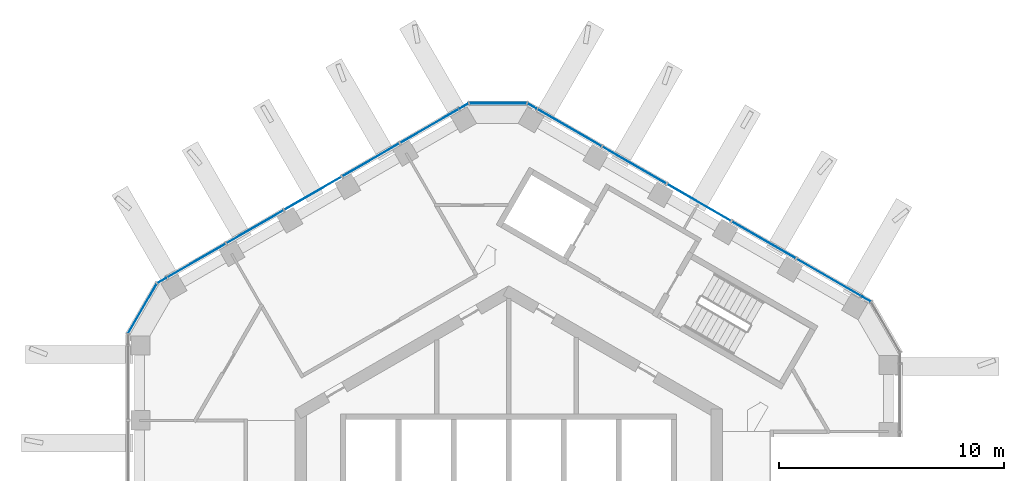
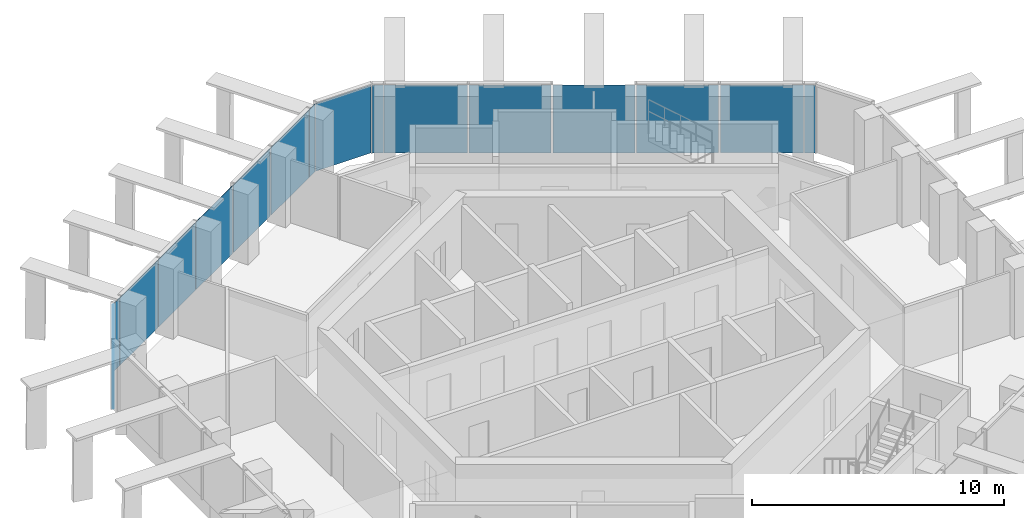
# One storey, part 10 of 17: 16 plates, 5 elements without a shape of their own.
"""IFC4 building model written with IfcOpenShell, lengths in metres."""

import ifcopenshell
import ifcopenshell.guid

model = None  # the IFC model being written
_history = None  # IfcOwnerHistory: only IFC2X3 demands one
_inside = {}  # id of a spatial element -> (the spatial element, [elements in it])
_under = {}  # id of a project, library or spatial element -> (it, [spatial elements below it])
_declared = {}  # id of a project -> (the project, [libraries it declares])
_typed = {}  # id of a type object -> (the type object, [elements of that type])
_made_of = {}  # id of a material, layer set ... -> (it, [elements and type objects made of it])


def new_model(schema):
    """Start an empty IFC model of exactly this schema.

    Asked for "IFC4X3", IfcOpenShell would pick the latest addendum, in which some entities
    have other attributes; the version numbers below select the first issue.
    IFC2X3 requires an IfcOwnerHistory on every rooted entity: one is made here for all.
    """
    global model, _history
    if schema == "IFC4X3":
        model = ifcopenshell.file(schema_version=(4, 3, 0, 0))
    else:
        model = ifcopenshell.file(schema=schema)
    _inside.clear()
    _under.clear()
    _declared.clear()
    _typed.clear()
    _made_of.clear()
    _history = None
    if model.schema == "IFC2X3":
        org = make("IfcOrganization", Name="unknown")
        user = make(
            "IfcPersonAndOrganization",
            ThePerson=make("IfcPerson", FamilyName="unknown"),
            TheOrganization=org,
        )
        app = make(
            "IfcApplication",
            ApplicationDeveloper=org,
            Version="unknown",
            ApplicationFullName="unknown",
            ApplicationIdentifier="unknown",
        )
        _history = make(
            "IfcOwnerHistory",
            OwningUser=user,
            OwningApplication=app,
            ChangeAction="ADDED",
            CreationDate=0,
        )
    return model


def make(cls, **values):
    """One entity of the class cls with the attributes given. An attribute that is None is left unset."""
    return model.create_entity(
        cls, **{name: value for name, value in values.items() if value is not None}
    )


def rooted(cls, **values):
    """An entity with a GlobalId (a new one), such as an element, a storey or a relation."""
    return make(cls, GlobalId=ifcopenshell.guid.new(), OwnerHistory=_history, **values)


def si_unit(unit_type, name, prefix=None):
    """IfcSIUnit, for example si_unit("LENGTHUNIT", "METRE", prefix="MILLI")."""
    return make("IfcSIUnit", UnitType=unit_type, Prefix=prefix, Name=name)


def assignment(units):
    """IfcUnitAssignment: the units of a project."""
    return None if units is None else make("IfcUnitAssignment", Units=units)


def point(xyz):
    """IfcCartesianPoint."""
    return None if xyz is None else make("IfcCartesianPoint", Coordinates=xyz)


def direction(xyz):
    """IfcDirection."""
    return None if xyz is None else make("IfcDirection", DirectionRatios=xyz)


def frame(location, z_axis=None, x_axis=None):
    """IfcAxis2Placement3D, a coordinate frame: its origin and axes. An axis left out is left unset."""
    return make(
        "IfcAxis2Placement3D",
        Location=point(location),
        Axis=direction(z_axis),
        RefDirection=direction(x_axis),
    )


def frame_2d(location, x_axis=None):
    """IfcAxis2Placement2D, a coordinate frame in the plane: its origin and x axis."""
    return make(
        "IfcAxis2Placement2D", Location=point(location), RefDirection=direction(x_axis)
    )


def origin():
    """The frame at (0, 0, 0) with its axes left unset."""
    return frame((0.0, 0.0, 0.0))


def origin_2d():
    """The frame at (0, 0) in the plane with its x axis left unset."""
    return frame_2d((0.0, 0.0))


def place(relative_to, where):
    """IfcLocalPlacement: puts the frame where relative to a parent placement (None: the world)."""
    return make(
        "IfcLocalPlacement", PlacementRelTo=relative_to, RelativePlacement=where
    )


def context(
    kind, dimensions, precision=None, world=None, true_north=None, identifier=None
):
    """IfcGeometricRepresentationContext, for example the 3D "Model" context."""
    return make(
        "IfcGeometricRepresentationContext",
        ContextIdentifier=identifier,
        ContextType=kind,
        CoordinateSpaceDimension=dimensions,
        Precision=precision,
        WorldCoordinateSystem=world,
        TrueNorth=true_north,
    )


def subcontext(parent, identifier, kind, view, scale=None):
    """IfcGeometricRepresentationSubContext, for example "Body" below "Model"."""
    return make(
        "IfcGeometricRepresentationSubContext",
        ContextIdentifier=identifier,
        ContextType=kind,
        ParentContext=parent,
        TargetScale=scale,
        TargetView=view,
    )


def project(units=None, contexts=None):
    """IfcProject with its units and contexts."""
    return rooted(
        "IfcProject",
        Name="project",
        RepresentationContexts=contexts,
        UnitsInContext=assignment(units),
    )


def spatial(cls, under=None, at=None, **own):
    """A site, building, storey or space (cls), placed at a placement, below another one or the project."""
    s = rooted(cls, ObjectPlacement=at, **own)
    if under is not None:
        _under.setdefault(under.id(), (under, []))[1].append(s)
    return s


def profile(cls, at=None, kind="AREA", **sizes):
    """A parametric profile (cls). Its sizes go by their IFC names, for example OverallWidth=200.0."""
    return make(cls, ProfileType=kind, Position=at, **sizes)


def rectangle(**sizes):
    """IfcRectangleProfileDef."""
    return profile("IfcRectangleProfileDef", **sizes)


def extrude(swept, where, along, depth):
    """IfcExtrudedAreaSolid: the profile swept, set in the frame where, extruded along a direction by depth."""
    return make(
        "IfcExtrudedAreaSolid",
        SweptArea=swept,
        Position=where,
        ExtrudedDirection=direction(along),
        Depth=depth,
    )


def shape(context_of_items, identifier, shape_type, items):
    """IfcShapeRepresentation: the items that make up one representation, for example the "Body"."""
    return make(
        "IfcShapeRepresentation",
        ContextOfItems=context_of_items,
        RepresentationIdentifier=identifier,
        RepresentationType=shape_type,
        Items=items,
    )


def material(Name=None, Category=None):
    """IfcMaterial."""
    return make("IfcMaterial", Name=Name, Category=Category)


def layer(
    of_material, thickness, ventilated=None, Name=None, Category=None, Priority=None
):
    """IfcMaterialLayer: one layer of a wall or slab, of a material (None: an air gap)."""
    return make(
        "IfcMaterialLayer",
        Material=of_material,
        LayerThickness=thickness,
        IsVentilated=ventilated,
        Name=Name,
        Category=Category,
        Priority=Priority,
    )


def layer_set(layers, Name=None):
    """IfcMaterialLayerSet."""
    return make("IfcMaterialLayerSet", MaterialLayers=layers, LayerSetName=Name)


def made_of(thing, what):
    """Note that an element or type object is made of a material, layer set ...; save() writes the relation."""
    if what is not None:
        _made_of.setdefault(what.id(), (what, []))[1].append(thing)
    return thing


def type_object(cls, material=None, **own):
    """A type object (cls), such as IfcWallType, which elements share."""
    return made_of(rooted(cls, **own), material)


def element(
    cls,
    number,
    at=None,
    inside=None,
    cuts=None,
    type_object=None,
    material=None,
    context=None,
    identifier="Body",
    shape_type=None,
    held_by="IfcProductDefinitionShape",
    body=None,
    shapes=None,
    **own,
):
    """One element of the class cls, such as IfcWall. Its Tag is "e" and its number.

    at: its placement. inside: the storey or other place that contains it. cuts: it is an
    opening in that element (IfcRelVoidsElement). A single representation is given by context,
    identifier, shape_type and body (its items); several are given by shapes. held_by: the class
    of the entity that holds the representations. save() writes the other relations.
    """
    e = rooted(cls, Tag="e%d" % number, ObjectPlacement=at, **own)
    if body is not None:
        shapes = [shape(context, identifier, shape_type, body)]
    if shapes is not None:
        e.Representation = make(held_by, Representations=shapes)
    if inside is not None:
        _inside.setdefault(inside.id(), (inside, []))[1].append(e)
    if cuts is not None:
        rooted(
            "IfcRelVoidsElement", RelatingBuildingElement=cuts, RelatedOpeningElement=e
        )
    if type_object is not None:
        _typed.setdefault(type_object.id(), (type_object, []))[1].append(e)
    return made_of(e, material)


def aggregate(whole, parts):
    """IfcRelAggregates: a whole, such as a stair, and the parts it consists of."""
    return rooted("IfcRelAggregates", RelatingObject=whole, RelatedObjects=parts)


def save(model, path):
    """Write the relations noted so far, then the file.

    IfcRelAggregates (storeys below a building ...), IfcRelContainedInSpatialStructure (elements
    in a storey), IfcRelDefinesByType, IfcRelAssociatesMaterial and IfcRelDeclares: one each for
    every whole, place, type object, material and project.
    """
    for whole, parts in _under.values():
        aggregate(whole, parts)
    for where, things in _inside.values():
        rooted(
            "IfcRelContainedInSpatialStructure",
            RelatedElements=things,
            RelatingStructure=where,
        )
    for kind, things in _typed.values():
        rooted("IfcRelDefinesByType", RelatedObjects=things, RelatingType=kind)
    for what, things in _made_of.values():
        rooted("IfcRelAssociatesMaterial", RelatedObjects=things, RelatingMaterial=what)
    for by, libraries in _declared.values():
        rooted("IfcRelDeclares", RelatingContext=by, RelatedDefinitions=libraries)
    model.write(path)


model = new_model("IFC4")

# Units and contexts
model_context = context("Model", 3, precision=1e-05, world=origin(), true_north=direction((0.0, 1.0)))
body_context = subcontext(model_context, "Body", "Model", "MODEL_VIEW")
ifc_project = project(units=[si_unit("LENGTHUNIT", "METRE"), si_unit("AREAUNIT", "SQUARE_METRE"), si_unit("VOLUMEUNIT", "CUBIC_METRE"), si_unit("PLANEANGLEUNIT", "RADIAN"), si_unit("MASSUNIT", "GRAM", prefix="KILO")], contexts=[model_context])

# Site, building, storey
site_placement = place(None, origin())
site = spatial("IfcSite", under=ifc_project, at=site_placement, CompositionType="ELEMENT")
building_placement = place(site_placement, origin())
building = spatial("IfcBuilding", under=site, at=building_placement, Name="Ayvan Gate Tower", CompositionType="ELEMENT")
storey_placement = place(building_placement, frame((0.0, 0.0, 246.10009765625)))
storey = spatial("IfcBuildingStorey", under=building, at=storey_placement, Name="L66", CompositionType="ELEMENT", Elevation=246.10009765625)

# Curtain wall, plates
ifc_material_1 = material(Name="Bronze anodised aluminium", Category="aluminium")
ifc_layer_1 = layer(ifc_material_1, 0.199951171875)
ifc_layer_set_1 = layer_set([ifc_layer_1], Name="Bronze anodised aluminium")
curtain_wall_type_1 = type_object("IfcCurtainWallType", Name="Stick curtain wall CW-2", PredefinedType="NOTDEFINED", material=ifc_layer_set_1)
curtain_wall_1_placement = place(storey_placement, origin())
curtain_wall_1 = element("IfcCurtainWall", 1, at=curtain_wall_1_placement, inside=storey, type_object=curtain_wall_type_1, Name="Stick curtain wall CW-2 L66", PredefinedType="NOTDEFINED")
ifc_material_2 = material(Name="Clear low-iron laminated glass", Category="glass")
ifc_layer_2 = layer(ifc_material_2, 0.028076171875)
ifc_layer_set_2 = layer_set([ifc_layer_2], Name="Clear low-iron laminated glass")
plate_type_1 = type_object("IfcPlateType", Name="Stick curtain wall CW-2 glass panel", PredefinedType="CURTAIN_PANEL", material=ifc_layer_set_2)
plate_1_placement = place(storey_placement, frame((-3.51025390625, 18.07958984375, 0.0), z_axis=(0.0, 0.0, 1.0), x_axis=(-0.866025403784, -0.5, 0.0)))
plate_1 = element("IfcPlate", 2, at=plate_1_placement, type_object=plate_type_1, Name="CW-2 glass panel 1", PredefinedType="CURTAIN_PANEL", context=body_context, shape_type="SweptSolid", body=[
    extrude(rectangle(XDim=3.008056640625, YDim=0.028076171875, at=origin_2d()), origin(), (0.0, 0.0, 1.0), 3.280029296875),
])
plate_2_placement = place(storey_placement, frame((-6.130859375, 16.566650390625, 0.0), z_axis=(0.0, 0.0, 1.0), x_axis=(-0.866025403784, -0.5, 0.0)))
plate_2 = element("IfcPlate", 3, at=plate_2_placement, type_object=plate_type_1, Name="CW-2 glass panel 2", PredefinedType="CURTAIN_PANEL", context=body_context, shape_type="SweptSolid", body=[
    extrude(rectangle(XDim=2.904052734375, YDim=0.028076171875, at=origin_2d()), origin(), (0.0, 0.0, 1.0), 3.280029296875),
])
plate_3_placement = place(storey_placement, frame((-8.706298828125, 15.07958984375, 0.0), z_axis=(0.0, 0.0, 1.0), x_axis=(-0.866025403784, -0.5, 0.0)))
plate_3 = element("IfcPlate", 4, at=plate_3_placement, type_object=plate_type_1, Name="CW-2 glass panel 3", PredefinedType="CURTAIN_PANEL", context=body_context, shape_type="SweptSolid", body=[
    extrude(rectangle(XDim=2.904052734375, YDim=0.028076171875, at=origin_2d()), origin(), (0.0, 0.0, 1.0), 3.280029296875),
])
plate_4_placement = place(storey_placement, frame((-11.281982421875, 13.592529296875, 0.0), z_axis=(0.0, 0.0, 1.0), x_axis=(-0.866025403784, -0.5, 0.0)))
plate_4 = element("IfcPlate", 5, at=plate_4_placement, type_object=plate_type_1, Name="CW-2 glass panel 4", PredefinedType="CURTAIN_PANEL", context=body_context, shape_type="SweptSolid", body=[
    extrude(rectangle(XDim=2.904052734375, YDim=0.028076171875, at=origin_2d()), origin(), (0.0, 0.0, 1.0), 3.280029296875),
])
plate_5_placement = place(storey_placement, frame((-13.90234375, 12.07958984375, 0.0), z_axis=(0.0, 0.0, 1.0), x_axis=(-0.866025403784, -0.5, 0.0)))
plate_5 = element("IfcPlate", 6, at=plate_5_placement, type_object=plate_type_1, Name="CW-2 glass panel 5", PredefinedType="CURTAIN_PANEL", context=body_context, shape_type="SweptSolid", body=[
    extrude(rectangle(XDim=3.007568359375, YDim=0.028076171875, at=origin_2d()), origin(), (0.0, 0.0, 1.0), 3.280029296875),
])
aggregate(curtain_wall_1, [plate_1, plate_2, plate_3, plate_4, plate_5])

curtain_wall_2_placement = place(storey_placement, origin())
curtain_wall_2 = element("IfcCurtainWall", 7, at=curtain_wall_2_placement, inside=storey, type_object=curtain_wall_type_1, Name="Stick curtain wall CW-2 L66", PredefinedType="NOTDEFINED")
plate_6_placement = place(storey_placement, frame((14.248046875, 11.331787109375, 0.0), z_axis=(0.0, 0.0, 1.0), x_axis=(-0.866025403784, 0.5, 0.0)))
plate_6 = element("IfcPlate", 8, at=plate_6_placement, type_object=plate_type_1, Name="CW-2 glass panel 1", PredefinedType="CURTAIN_PANEL", context=body_context, shape_type="SweptSolid", body=[
    extrude(rectangle(XDim=3.305908203125, YDim=0.028076171875, at=origin_2d()), origin(), (0.0, 0.0, 1.0), 3.280029296875),
])
plate_7_placement = place(storey_placement, frame((11.34716796875, 13.006591796875, 0.0), z_axis=(0.0, 0.0, 1.0), x_axis=(-0.866025403784, 0.5, 0.0)))
plate_7 = element("IfcPlate", 9, at=plate_7_placement, type_object=plate_type_1, Name="CW-2 glass panel 2", PredefinedType="CURTAIN_PANEL", context=body_context, shape_type="SweptSolid", body=[
    extrude(rectangle(XDim=3.2529296875, YDim=0.028076171875, at=origin_2d()), origin(), (0.0, 0.0, 1.0), 3.280029296875),
])
plate_8_placement = place(storey_placement, frame((8.468994140625, 14.66845703125, 0.0), z_axis=(0.0, 0.0, 1.0), x_axis=(-0.866025403784, 0.5, 0.0)))
plate_8 = element("IfcPlate", 10, at=plate_8_placement, type_object=plate_type_1, Name="CW-2 glass panel 3", PredefinedType="CURTAIN_PANEL", context=body_context, shape_type="SweptSolid", body=[
    extrude(rectangle(XDim=3.25390625, YDim=0.028076171875, at=origin_2d()), origin(), (0.0, 0.0, 1.0), 3.280029296875),
])
plate_9_placement = place(storey_placement, frame((5.59033203125, 16.330322265625, 0.0), z_axis=(0.0, 0.0, 1.0), x_axis=(-0.866025403784, 0.5, 0.0)))
plate_9 = element("IfcPlate", 11, at=plate_9_placement, type_object=plate_type_1, Name="CW-2 glass panel 4", PredefinedType="CURTAIN_PANEL", context=body_context, shape_type="SweptSolid", body=[
    extrude(rectangle(XDim=3.25390625, YDim=0.028076171875, at=origin_2d()), origin(), (0.0, 0.0, 1.0), 3.280029296875),
])
plate_10_placement = place(storey_placement, frame((2.689453125, 18.005126953125, 0.0), z_axis=(0.0, 0.0, 1.0), x_axis=(-0.866025403784, 0.5, 0.0)))
plate_10 = element("IfcPlate", 12, at=plate_10_placement, type_object=plate_type_1, Name="CW-2 glass panel 5", PredefinedType="CURTAIN_PANEL", context=body_context, shape_type="SweptSolid", body=[
    extrude(rectangle(XDim=3.305419921875, YDim=0.028076171875, at=origin_2d()), origin(), (0.0, 0.0, 1.0), 3.280029296875),
])
aggregate(curtain_wall_2, [plate_6, plate_7, plate_8, plate_9, plate_10])

ifc_layer_3 = layer(ifc_material_1, 0.199951171875)
ifc_layer_set_3 = layer_set([ifc_layer_3], Name="Bronze anodised aluminium")
curtain_wall_type_2 = type_object("IfcCurtainWallType", Name="Stick curtain wall CW-6", PredefinedType="NOTDEFINED", material=ifc_layer_set_3)
curtain_wall_3_placement = place(storey_placement, origin())
curtain_wall_3 = element("IfcCurtainWall", 13, at=curtain_wall_3_placement, inside=storey, type_object=curtain_wall_type_2, Name="Stick curtain wall CW-6 L66", PredefinedType="NOTDEFINED")
ifc_layer_4 = layer(ifc_material_2, 0.028076171875)
ifc_layer_set_4 = layer_set([ifc_layer_4], Name="Clear low-iron laminated glass")
plate_type_2 = type_object("IfcPlateType", Name="Stick curtain wall CW-6 glass panel", PredefinedType="CURTAIN_PANEL", material=ifc_layer_set_4)
plate_11_placement = place(storey_placement, frame((-15.429931640625, 11.19775390625, 0.0), z_axis=(0.0, 0.0, 1.0), x_axis=(-0.866025403784, -0.5, 0.0)))
plate_11 = element("IfcPlate", 14, at=plate_11_placement, type_object=plate_type_2, Name="CW-6 glass panel 1", PredefinedType="CURTAIN_PANEL", context=body_context, shape_type="SweptSolid", body=[
    extrude(rectangle(XDim=0.449951171875, YDim=0.028076171875, at=origin_2d()), origin(), (0.0, 0.0, 1.0), 3.280029296875),
])
plate_12_placement = place(storey_placement, frame((-16.2919921875, 9.954345703125, 0.0), z_axis=(0.0, 0.0, 1.0), x_axis=(-0.5, -0.866025403784, 0.0)))
plate_12 = element("IfcPlate", 15, at=plate_12_placement, type_object=plate_type_2, Name="CW-6 glass panel 2", PredefinedType="CURTAIN_PANEL", context=body_context, shape_type="SweptSolid", body=[
    extrude(rectangle(XDim=2.532470703125, YDim=0.028076171875, at=origin_2d()), origin(), (0.0, 0.0, 1.0), 3.280029296875),
])
aggregate(curtain_wall_3, [plate_11, plate_12])

# Curtain wall, plate
curtain_wall_4_placement = place(storey_placement, origin())
curtain_wall_4 = element("IfcCurtainWall", 16, at=curtain_wall_4_placement, inside=storey, type_object=curtain_wall_type_2, Name="Stick curtain wall CW-6 L66", PredefinedType="NOTDEFINED")
plate_13_placement = place(storey_placement, frame((15.90478515625, 10.37548828125, 0.0), z_axis=(0.0, 0.0, 1.0), x_axis=(-0.866025403784, 0.5, 0.0)))
plate_13 = element("IfcPlate", 17, at=plate_13_placement, type_object=plate_type_2, Name="CW-6 glass panel 3", PredefinedType="CURTAIN_PANEL", context=body_context, shape_type="SweptSolid", body=[
    extrude(rectangle(XDim=0.449951171875, YDim=0.028076171875, at=origin_2d()), origin(), (0.0, 0.0, 1.0), 3.280029296875),
])
aggregate(curtain_wall_4, [plate_13])

# Curtain wall, plates
curtain_wall_5_placement = place(storey_placement, origin())
curtain_wall_5 = element("IfcCurtainWall", 18, at=curtain_wall_5_placement, inside=storey, type_object=curtain_wall_type_2, Name="Stick curtain wall CW-6 L66", PredefinedType="NOTDEFINED")
plate_14_placement = place(storey_placement, frame((1.032958984375, 18.961669921875, 0.0), z_axis=(0.0, 0.0, 1.0), x_axis=(-0.866025403784, 0.5, 0.0)))
plate_14 = element("IfcPlate", 19, at=plate_14_placement, type_object=plate_type_2, Name="CW-6 glass panel 1", PredefinedType="CURTAIN_PANEL", context=body_context, shape_type="SweptSolid", body=[
    extrude(rectangle(XDim=0.449951171875, YDim=0.028076171875, at=origin_2d()), origin(), (0.0, 0.0, 1.0), 3.280029296875),
])
plate_15_placement = place(storey_placement, frame((-0.474853515625, 19.086669921875, 0.0), z_axis=(0.0, 0.0, 1.0), x_axis=(-1.0, 0.0, 0.0)))
plate_15 = element("IfcPlate", 20, at=plate_15_placement, type_object=plate_type_2, Name="CW-6 glass panel 2", PredefinedType="CURTAIN_PANEL", context=body_context, shape_type="SweptSolid", body=[
    extrude(rectangle(XDim=2.532470703125, YDim=0.028076171875, at=origin_2d()), origin(), (0.0, 0.0, 1.0), 3.280029296875),
])
plate_16_placement = place(storey_placement, frame((-1.982666015625, 18.961669921875, 0.0), z_axis=(0.0, 0.0, 1.0), x_axis=(-0.866025403784, -0.5, 0.0)))
plate_16 = element("IfcPlate", 21, at=plate_16_placement, type_object=plate_type_2, Name="CW-6 glass panel 3", PredefinedType="CURTAIN_PANEL", context=body_context, shape_type="SweptSolid", body=[
    extrude(rectangle(XDim=0.449951171875, YDim=0.028076171875, at=origin_2d()), origin(), (0.0, 0.0, 1.0), 3.280029296875),
])
aggregate(curtain_wall_5, [plate_14, plate_15, plate_16])

save(model, "model.ifc")
